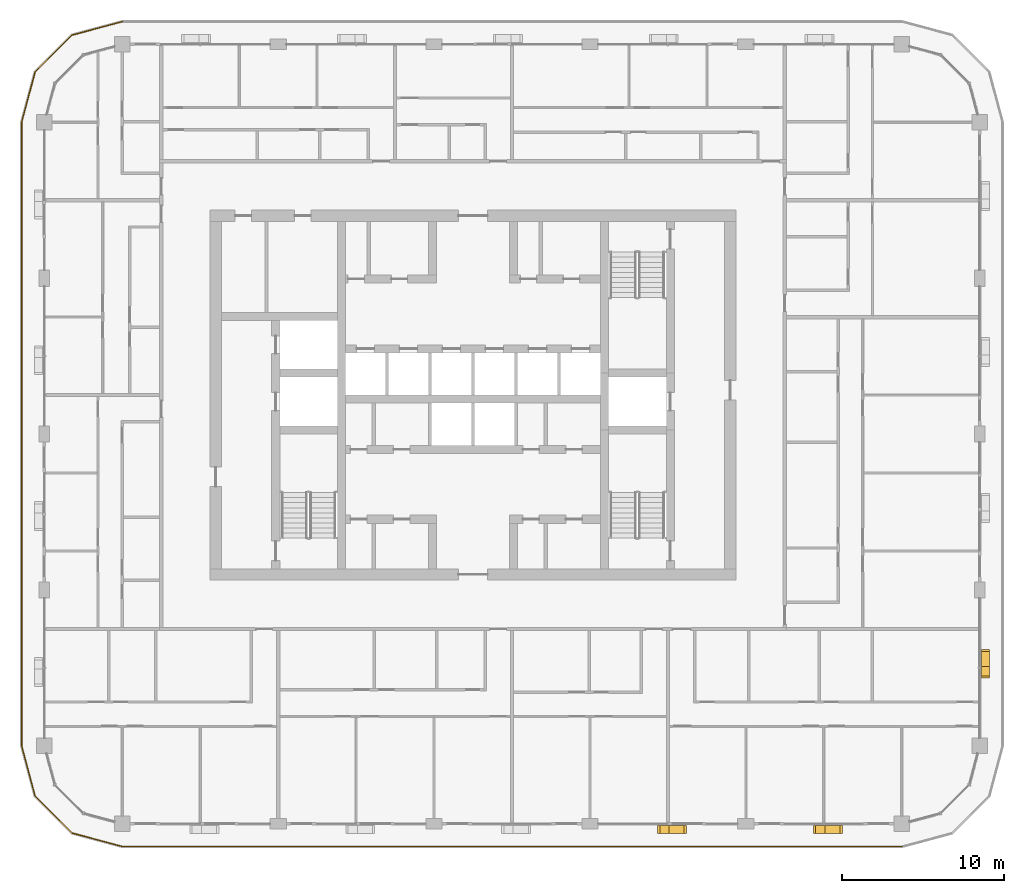
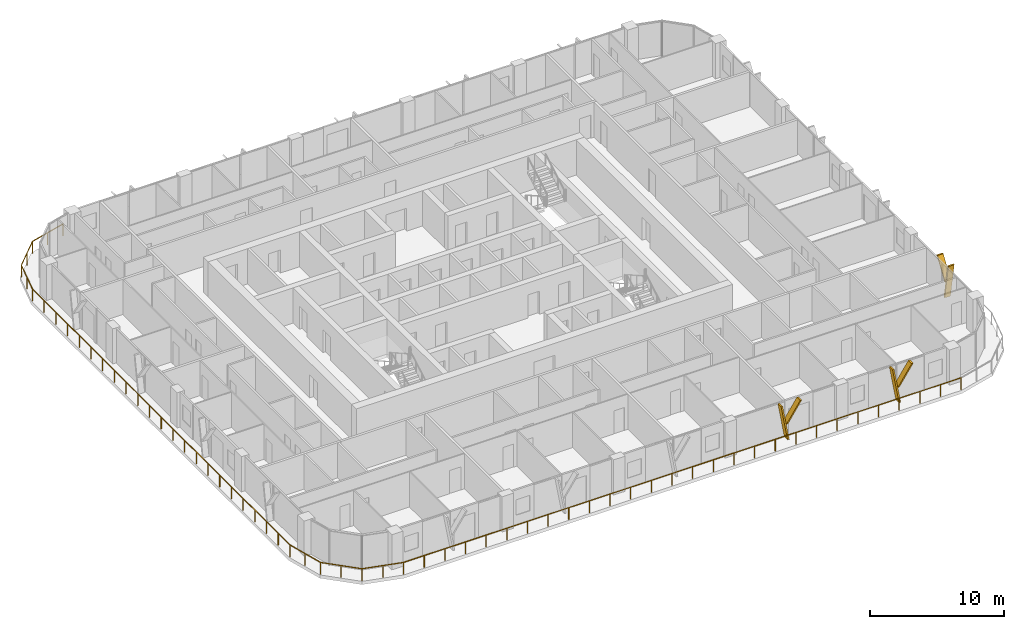
# One storey, part 19 of 22: 6 shading devices, 1 railing.
"""IFC4 building model written with IfcOpenShell, lengths in metres."""

from ifc_helpers import new_model, si_unit, direction, frame, origin, origin_2d, place, context, subcontext, project, spatial, polyline, circle, outline, extrude, material, type_object, element, save


model = new_model("IFC4")

# Units and contexts
model_context = context("Model", 3, precision=1e-05, world=origin(), true_north=direction((0.0, 1.0)))
body_context = subcontext(model_context, "Body", "Model", "MODEL_VIEW")
ifc_project = project(units=[si_unit("LENGTHUNIT", "METRE"), si_unit("AREAUNIT", "SQUARE_METRE"), si_unit("VOLUMEUNIT", "CUBIC_METRE"), si_unit("PLANEANGLEUNIT", "RADIAN"), si_unit("MASSUNIT", "GRAM", prefix="KILO")], contexts=[model_context])

# Site, building, storey
site_placement = place(None, origin())
site = spatial("IfcSite", under=ifc_project, at=site_placement, CompositionType="ELEMENT")
building_placement = place(site_placement, origin())
building = spatial("IfcBuilding", under=site, at=building_placement, Name="Madar Terraces", CompositionType="ELEMENT")
storey_placement = place(building_placement, frame((0.0, 0.0, 178.89990234375)))
storey = spatial("IfcBuildingStorey", under=building, at=storey_placement, Name="L46", CompositionType="ELEMENT", Elevation=178.89990234375)

# Railing
ifc_material_1 = material(Name="Glass, safety glazing, with stainless steel posts", Category="steel")
railing_type = type_object("IfcRailingType", Name="Balcony glass guard 1100", PredefinedType="GUARDRAIL", material=ifc_material_1)
railing_placement = place(storey_placement, frame((9.60009765625, 49.39990234375, 0.0)))
element("IfcRailing", 1, at=railing_placement, inside=storey, type_object=railing_type, Name="Balcony guard", PredefinedType="GUARDRAIL", context=body_context, shape_type="SweptSolid", body=[
    extrude(circle(Radius=0.02392578125, at=origin_2d()), frame((0.0, 0.0, 1.076171875), z_axis=(-0.9659337912, -0.258789317819, 0.0), x_axis=(0.258789317819, -0.9659337912, 0.0)), (0.0, 0.0, 1.0), 3.20947265625),
    extrude(circle(Radius=0.02392578125, at=origin_2d()), frame((-3.10009765625, -0.83056640625, 1.076171875), z_axis=(-0.707106781187, -0.707106781187, 0.0), x_axis=(0.707106781187, -0.707106781187, 0.0)), (0.0, 0.0, 1.0), 3.209228515625),
    extrude(circle(Radius=0.02392578125, at=origin_2d()), frame((-5.369384765625, -3.099853515625, 1.076171875), z_axis=(-0.258860290944, -0.965914773555, 0.0), x_axis=(0.965914773555, -0.258860290944, 0.0)), (0.0, 0.0, 1.0), 3.20947265625),
    extrude(circle(Radius=0.02392578125, at=origin_2d()), frame((-6.2001953125, -6.199951171875, 1.076171875), z_axis=(0.0, -1.0, 0.0), x_axis=(1.0, 0.0, 0.0)), (0.0, 0.0, 1.0), 38.39990234375),
    extrude(circle(Radius=0.02392578125, at=origin_2d()), frame((-6.2001953125, -44.599853515625, 1.076171875), z_axis=(0.258860290944, -0.965914773555, 0.0), x_axis=(0.965914773555, 0.258860290944, 0.0)), (0.0, 0.0, 1.0), 3.20947265625),
    extrude(circle(Radius=0.02392578125, at=origin_2d()), frame((-5.369384765625, -47.699951171875, 1.076171875), z_axis=(0.707106781187, -0.707106781187, 0.0), x_axis=(0.707106781187, 0.707106781187, 0.0)), (0.0, 0.0, 1.0), 3.209228515625),
    extrude(circle(Radius=0.02392578125, at=origin_2d()), frame((-3.10009765625, -49.96923828125, 1.076171875), z_axis=(0.9659337912, -0.258789317819, 0.0), x_axis=(0.258789317819, 0.9659337912, 0.0)), (0.0, 0.0, 1.0), 3.20947265625),
    extrude(circle(Radius=0.02392578125, at=origin_2d()), frame((0.0, -50.7998046875, 1.076171875), z_axis=(1.0, 0.0, 0.0), x_axis=(0.0, 1.0, 0.0)), (0.0, 0.0, 1.0), 48.0),
    extrude(circle(Radius=0.02099609375, at=origin_2d()), origin(), (0.0, 0.0, 1.0), 1.052001953125),
    extrude(circle(Radius=0.02099609375, at=origin_2d()), frame((-1.550048828125, -0.415283203125, 0.0)), (0.0, 0.0, 1.0), 1.052001953125),
    extrude(circle(Radius=0.02099609375, at=origin_2d()), frame((-3.10009765625, -0.83056640625, 0.0)), (0.0, 0.0, 1.0), 1.052001953125),
    extrude(circle(Radius=0.02099609375, at=origin_2d()), frame((-4.23486328125, -1.96533203125, 0.0)), (0.0, 0.0, 1.0), 1.052001953125),
    extrude(circle(Radius=0.02099609375, at=origin_2d()), frame((-5.369384765625, -3.099853515625, 0.0)), (0.0, 0.0, 1.0), 1.052001953125),
    extrude(circle(Radius=0.02099609375, at=origin_2d()), frame((-5.78466796875, -4.64990234375, 0.0)), (0.0, 0.0, 1.0), 1.052001953125),
    extrude(circle(Radius=0.02099609375, at=origin_2d()), frame((-6.2001953125, -6.199951171875, 0.0)), (0.0, 0.0, 1.0), 1.052001953125),
    extrude(circle(Radius=0.02099609375, at=origin_2d()), frame((-6.2001953125, -7.9453125, 0.0)), (0.0, 0.0, 1.0), 1.052001953125),
    extrude(circle(Radius=0.02099609375, at=origin_2d()), frame((-6.2001953125, -9.69091796875, 0.0)), (0.0, 0.0, 1.0), 1.052001953125),
    extrude(circle(Radius=0.02099609375, at=origin_2d()), frame((-6.2001953125, -11.436279296875, 0.0)), (0.0, 0.0, 1.0), 1.052001953125),
    extrude(circle(Radius=0.02099609375, at=origin_2d()), frame((-6.2001953125, -13.181640625, 0.0)), (0.0, 0.0, 1.0), 1.052001953125),
    extrude(circle(Radius=0.02099609375, at=origin_2d()), frame((-6.2001953125, -14.92724609375, 0.0)), (0.0, 0.0, 1.0), 1.052001953125),
    extrude(circle(Radius=0.02099609375, at=origin_2d()), frame((-6.2001953125, -16.672607421875, 0.0)), (0.0, 0.0, 1.0), 1.052001953125),
    extrude(circle(Radius=0.02099609375, at=origin_2d()), frame((-6.2001953125, -18.418212890625, 0.0)), (0.0, 0.0, 1.0), 1.052001953125),
    extrude(circle(Radius=0.02099609375, at=origin_2d()), frame((-6.2001953125, -20.16357421875, 0.0)), (0.0, 0.0, 1.0), 1.052001953125),
    extrude(circle(Radius=0.02099609375, at=origin_2d()), frame((-6.2001953125, -21.908935546875, 0.0)), (0.0, 0.0, 1.0), 1.052001953125),
    extrude(circle(Radius=0.02099609375, at=origin_2d()), frame((-6.2001953125, -23.654541015625, 0.0)), (0.0, 0.0, 1.0), 1.052001953125),
    extrude(circle(Radius=0.02099609375, at=origin_2d()), frame((-6.2001953125, -25.39990234375, 0.0)), (0.0, 0.0, 1.0), 1.052001953125),
    extrude(circle(Radius=0.02099609375, at=origin_2d()), frame((-6.2001953125, -27.145263671875, 0.0)), (0.0, 0.0, 1.0), 1.052001953125),
    extrude(circle(Radius=0.02099609375, at=origin_2d()), frame((-6.2001953125, -28.890869140625, 0.0)), (0.0, 0.0, 1.0), 1.052001953125),
    extrude(circle(Radius=0.02099609375, at=origin_2d()), frame((-6.2001953125, -30.63623046875, 0.0)), (0.0, 0.0, 1.0), 1.052001953125),
    extrude(circle(Radius=0.02099609375, at=origin_2d()), frame((-6.2001953125, -32.381591796875, 0.0)), (0.0, 0.0, 1.0), 1.052001953125),
    extrude(circle(Radius=0.02099609375, at=origin_2d()), frame((-6.2001953125, -34.127197265625, 0.0)), (0.0, 0.0, 1.0), 1.052001953125),
    extrude(circle(Radius=0.02099609375, at=origin_2d()), frame((-6.2001953125, -35.87255859375, 0.0)), (0.0, 0.0, 1.0), 1.052001953125),
    extrude(circle(Radius=0.02099609375, at=origin_2d()), frame((-6.2001953125, -37.6181640625, 0.0)), (0.0, 0.0, 1.0), 1.052001953125),
    extrude(circle(Radius=0.02099609375, at=origin_2d()), frame((-6.2001953125, -39.363525390625, 0.0)), (0.0, 0.0, 1.0), 1.052001953125),
    extrude(circle(Radius=0.02099609375, at=origin_2d()), frame((-6.2001953125, -41.10888671875, 0.0)), (0.0, 0.0, 1.0), 1.052001953125),
    extrude(circle(Radius=0.02099609375, at=origin_2d()), frame((-6.2001953125, -42.8544921875, 0.0)), (0.0, 0.0, 1.0), 1.052001953125),
    extrude(circle(Radius=0.02099609375, at=origin_2d()), frame((-6.2001953125, -44.599853515625, 0.0)), (0.0, 0.0, 1.0), 1.052001953125),
    extrude(circle(Radius=0.02099609375, at=origin_2d()), frame((-5.78466796875, -46.14990234375, 0.0)), (0.0, 0.0, 1.0), 1.052001953125),
    extrude(circle(Radius=0.02099609375, at=origin_2d()), frame((-5.369384765625, -47.699951171875, 0.0)), (0.0, 0.0, 1.0), 1.052001953125),
    extrude(circle(Radius=0.02099609375, at=origin_2d()), frame((-4.23486328125, -48.83447265625, 0.0)), (0.0, 0.0, 1.0), 1.052001953125),
    extrude(circle(Radius=0.02099609375, at=origin_2d()), frame((-3.10009765625, -49.96923828125, 0.0)), (0.0, 0.0, 1.0), 1.052001953125),
    extrude(circle(Radius=0.02099609375, at=origin_2d()), frame((-1.550048828125, -50.384521484375, 0.0)), (0.0, 0.0, 1.0), 1.052001953125),
    extrude(circle(Radius=0.02099609375, at=origin_2d()), frame((0.0, -50.7998046875, 0.0)), (0.0, 0.0, 1.0), 1.052001953125),
    extrude(circle(Radius=0.02099609375, at=origin_2d()), frame((1.77783203125, -50.7998046875, 0.0)), (0.0, 0.0, 1.0), 1.052001953125),
    extrude(circle(Radius=0.02099609375, at=origin_2d()), frame((3.5556640625, -50.7998046875, 0.0)), (0.0, 0.0, 1.0), 1.052001953125),
    extrude(circle(Radius=0.02099609375, at=origin_2d()), frame((5.333251953125, -50.7998046875, 0.0)), (0.0, 0.0, 1.0), 1.052001953125),
    extrude(circle(Radius=0.02099609375, at=origin_2d()), frame((7.111083984375, -50.7998046875, 0.0)), (0.0, 0.0, 1.0), 1.052001953125),
    extrude(circle(Radius=0.02099609375, at=origin_2d()), frame((8.888916015625, -50.7998046875, 0.0)), (0.0, 0.0, 1.0), 1.052001953125),
    extrude(circle(Radius=0.02099609375, at=origin_2d()), frame((10.666748046875, -50.7998046875, 0.0)), (0.0, 0.0, 1.0), 1.052001953125),
    extrude(circle(Radius=0.02099609375, at=origin_2d()), frame((12.4443359375, -50.7998046875, 0.0)), (0.0, 0.0, 1.0), 1.052001953125),
    extrude(circle(Radius=0.02099609375, at=origin_2d()), frame((14.22216796875, -50.7998046875, 0.0)), (0.0, 0.0, 1.0), 1.052001953125),
    extrude(circle(Radius=0.02099609375, at=origin_2d()), frame((16.0, -50.7998046875, 0.0)), (0.0, 0.0, 1.0), 1.052001953125),
    extrude(circle(Radius=0.02099609375, at=origin_2d()), frame((17.77783203125, -50.7998046875, 0.0)), (0.0, 0.0, 1.0), 1.052001953125),
    extrude(circle(Radius=0.02099609375, at=origin_2d()), frame((19.5556640625, -50.7998046875, 0.0)), (0.0, 0.0, 1.0), 1.052001953125),
    extrude(circle(Radius=0.02099609375, at=origin_2d()), frame((21.333251953125, -50.7998046875, 0.0)), (0.0, 0.0, 1.0), 1.052001953125),
    extrude(circle(Radius=0.02099609375, at=origin_2d()), frame((23.111083984375, -50.7998046875, 0.0)), (0.0, 0.0, 1.0), 1.052001953125),
    extrude(circle(Radius=0.02099609375, at=origin_2d()), frame((24.888916015625, -50.7998046875, 0.0)), (0.0, 0.0, 1.0), 1.052001953125),
    extrude(circle(Radius=0.02099609375, at=origin_2d()), frame((26.666748046875, -50.7998046875, 0.0)), (0.0, 0.0, 1.0), 1.052001953125),
    extrude(circle(Radius=0.02099609375, at=origin_2d()), frame((28.4443359375, -50.7998046875, 0.0)), (0.0, 0.0, 1.0), 1.052001953125),
    extrude(circle(Radius=0.02099609375, at=origin_2d()), frame((30.22216796875, -50.7998046875, 0.0)), (0.0, 0.0, 1.0), 1.052001953125),
    extrude(circle(Radius=0.02099609375, at=origin_2d()), frame((32.0, -50.7998046875, 0.0)), (0.0, 0.0, 1.0), 1.052001953125),
    extrude(circle(Radius=0.02099609375, at=origin_2d()), frame((33.77783203125, -50.7998046875, 0.0)), (0.0, 0.0, 1.0), 1.052001953125),
    extrude(circle(Radius=0.02099609375, at=origin_2d()), frame((35.5556640625, -50.7998046875, 0.0)), (0.0, 0.0, 1.0), 1.052001953125),
    extrude(circle(Radius=0.02099609375, at=origin_2d()), frame((37.333251953125, -50.7998046875, 0.0)), (0.0, 0.0, 1.0), 1.052001953125),
    extrude(circle(Radius=0.02099609375, at=origin_2d()), frame((39.111083984375, -50.7998046875, 0.0)), (0.0, 0.0, 1.0), 1.052001953125),
    extrude(circle(Radius=0.02099609375, at=origin_2d()), frame((40.888916015625, -50.7998046875, 0.0)), (0.0, 0.0, 1.0), 1.052001953125),
    extrude(circle(Radius=0.02099609375, at=origin_2d()), frame((42.666748046875, -50.7998046875, 0.0)), (0.0, 0.0, 1.0), 1.052001953125),
    extrude(circle(Radius=0.02099609375, at=origin_2d()), frame((44.4443359375, -50.7998046875, 0.0)), (0.0, 0.0, 1.0), 1.052001953125),
    extrude(circle(Radius=0.02099609375, at=origin_2d()), frame((46.22216796875, -50.7998046875, 0.0)), (0.0, 0.0, 1.0), 1.052001953125),
    extrude(circle(Radius=0.02099609375, at=origin_2d()), frame((48.0, -50.7998046875, 0.0)), (0.0, 0.0, 1.0), 1.052001953125),
])

# Shading devices
ifc_material_2 = material(Name="Aluminium, black anodised", Category="aluminium")
shading_device_type = type_object("IfcShadingDeviceType", Name="Facade fin blade 140 x 500", PredefinedType="USERDEFINED", material=ifc_material_2)
shading_device_1_placement = place(storey_placement, frame((43.1298828125, -0.35009765625, 0.0), z_axis=(0.0, 0.0, 1.0), x_axis=(1.0, 0.0, 0.0)))
element("IfcShadingDevice", 2, at=shading_device_1_placement, inside=storey, type_object=shading_device_type, Name="FIN L46 S4", ObjectType="FIN", PredefinedType="USERDEFINED", context=body_context, shape_type="SweptSolid", body=[
    extrude(outline(polyline([(0.0, 0.0), (0.14013671875, 0.0), (-0.42431640625, 3.2001953125), (-0.564208984375, 3.2001953125), (0.0, 0.0)])), frame((0.0, 0.25, 0.0), z_axis=(0.0, -1.0, 0.0), x_axis=(1.0, 0.0, 0.0)), (0.0, 0.0, 1.0), 0.5),
])
shading_device_2_placement = place(storey_placement, frame((43.01611328125, -0.35009765625, 1.440185546875), z_axis=(0.0, 0.0, 1.0), x_axis=(1.0, 0.0, 0.0)))
element("IfcShadingDevice", 3, at=shading_device_2_placement, inside=storey, type_object=shading_device_type, Name="FIN L46 S4 branch", ObjectType="FIN", PredefinedType="USERDEFINED", context=body_context, shape_type="SweptSolid", body=[
    extrude(outline(polyline([(0.0, 0.0), (0.139892578125, 0.0), (1.32958984375, 1.760009765625), (1.189697265625, 1.760009765625), (0.0, 0.0)])), frame((0.0, 0.25, 0.0), z_axis=(0.0, -1.0, 0.0), x_axis=(1.0, 0.0, 0.0)), (0.0, 0.0, 1.0), 0.5),
])
shading_device_3_placement = place(storey_placement, frame((52.72998046875, -0.35009765625, 0.0), z_axis=(0.0, 0.0, 1.0), x_axis=(1.0, 0.0, 0.0)))
element("IfcShadingDevice", 4, at=shading_device_3_placement, inside=storey, type_object=shading_device_type, Name="FIN L46 S5", ObjectType="FIN", PredefinedType="USERDEFINED", context=body_context, shape_type="SweptSolid", body=[
    extrude(outline(polyline([(0.0, 0.0), (0.14013671875, 0.0), (-0.42431640625, 3.2001953125), (-0.564208984375, 3.2001953125), (0.0, 0.0)])), frame((0.0, 0.25, 0.0), z_axis=(0.0, -1.0, 0.0), x_axis=(1.0, 0.0, 0.0)), (0.0, 0.0, 1.0), 0.5),
])
shading_device_4_placement = place(storey_placement, frame((52.6162109375, -0.35009765625, 1.440185546875), z_axis=(0.0, 0.0, 1.0), x_axis=(1.0, 0.0, 0.0)))
element("IfcShadingDevice", 5, at=shading_device_4_placement, inside=storey, type_object=shading_device_type, Name="FIN L46 S5 branch", ObjectType="FIN", PredefinedType="USERDEFINED", context=body_context, shape_type="SweptSolid", body=[
    extrude(outline(polyline([(0.0, 0.0), (0.139892578125, 0.0), (1.32958984375, 1.760009765625), (1.189697265625, 1.760009765625), (0.0, 0.0)])), frame((0.0, 0.25, 0.0), z_axis=(0.0, -1.0, 0.0), x_axis=(1.0, 0.0, 0.0)), (0.0, 0.0, 1.0), 0.5),
])
shading_device_5_placement = place(storey_placement, frame((62.75, 9.530029296875, 0.0), z_axis=(0.0, 0.0, 1.0), x_axis=(0.0, 1.0, 0.0)))
element("IfcShadingDevice", 6, at=shading_device_5_placement, inside=storey, type_object=shading_device_type, Name="FIN L46 E1", ObjectType="FIN", PredefinedType="USERDEFINED", context=body_context, shape_type="SweptSolid", body=[
    extrude(outline(polyline([(0.0, 0.0), (0.139892578125, 0.0), (-0.42431640625, 3.2001953125), (-0.564208984375, 3.2001953125), (0.0, 0.0)])), frame((0.0, 0.25, 0.0), z_axis=(0.0, -1.0, 0.0), x_axis=(1.0, 0.0, 0.0)), (0.0, 0.0, 1.0), 0.5),
])
shading_device_6_placement = place(storey_placement, frame((62.75, 9.416015625, 1.440185546875), z_axis=(0.0, 0.0, 1.0), x_axis=(0.0, 1.0, 0.0)))
element("IfcShadingDevice", 7, at=shading_device_6_placement, inside=storey, type_object=shading_device_type, Name="FIN L46 E1 branch", ObjectType="FIN", PredefinedType="USERDEFINED", context=body_context, shape_type="SweptSolid", body=[
    extrude(outline(polyline([(0.0, 0.0), (0.14013671875, 0.0), (1.32958984375, 1.760009765625), (1.189697265625, 1.760009765625), (0.0, 0.0)])), frame((0.0, 0.25, 0.0), z_axis=(0.0, -1.0, 0.0), x_axis=(1.0, 0.0, 0.0)), (0.0, 0.0, 1.0), 0.5),
])

save(model, "model.ifc")
